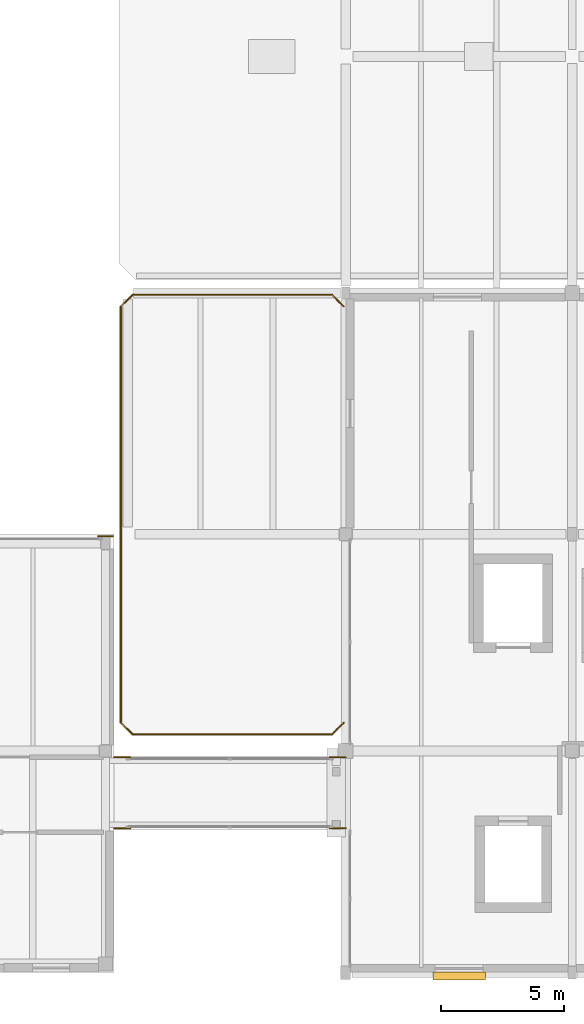
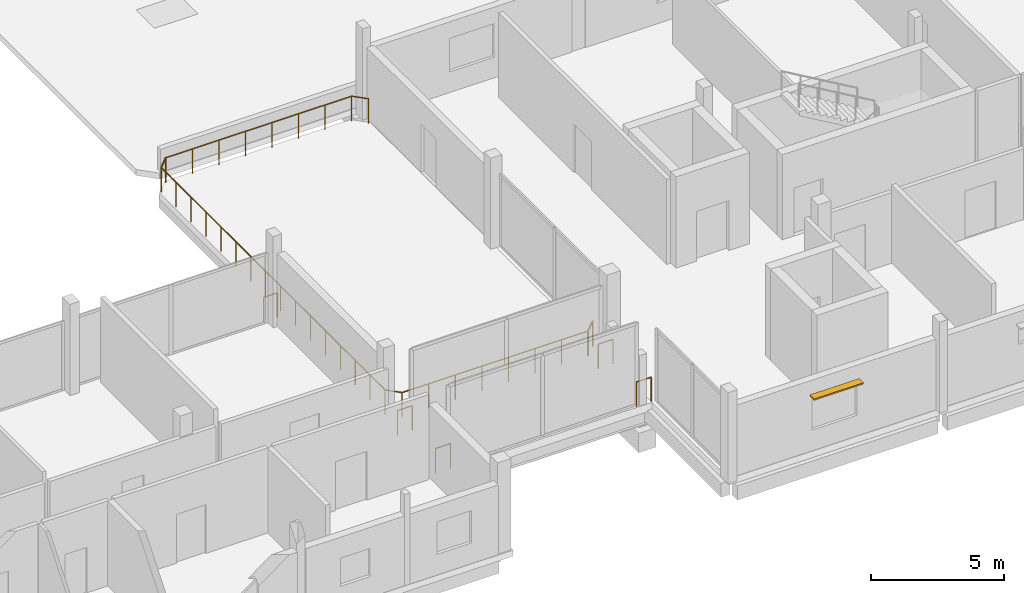
# One storey, part 36 of 41: 12 railings, 1 shading device.
"""IFC4 building model written with IfcOpenShell, lengths in metres."""

from ifc_helpers import new_model, si_unit, direction, frame, origin, origin_2d, place, context, subcontext, project, spatial, rectangle, circle, extrude, material, type_object, element, save


model = new_model("IFC4")

# Units and contexts
model_context = context("Model", 3, precision=1e-05, world=origin(), true_north=direction((0.0, 1.0)))
body_context = subcontext(model_context, "Body", "Model", "MODEL_VIEW")
ifc_project = project(units=[si_unit("LENGTHUNIT", "METRE"), si_unit("AREAUNIT", "SQUARE_METRE"), si_unit("VOLUMEUNIT", "CUBIC_METRE"), si_unit("PLANEANGLEUNIT", "RADIAN"), si_unit("MASSUNIT", "GRAM", prefix="KILO")], contexts=[model_context])

# Site, building, storey
site_placement = place(None, origin())
site = spatial("IfcSite", under=ifc_project, at=site_placement, CompositionType="ELEMENT")
building_placement = place(site_placement, origin())
building = spatial("IfcBuilding", under=site, at=building_placement, Name="Birchvale Park Specialist Clinic", CompositionType="ELEMENT")
storey_placement = place(building_placement, frame((0.0, 0.0, 9.60009765625)))
storey = spatial("IfcBuildingStorey", under=building, at=storey_placement, Name="L02", CompositionType="ELEMENT", Elevation=9.60009765625)

# Railings
ifc_material_1 = material(Name="Brushed stainless steel and laminated glass balustrade", Category="steel")
railing_type = type_object("IfcRailingType", Name="RL-BAL2", PredefinedType="BALUSTRADE", material=ifc_material_1)
for number, where, name in (
    (1, (118.60009765625, 22.659912109375, 0.0), "L02 bridge end guard BRG-3.7"),
    (2, (127.35009765625, 22.659912109375, 0.0), "L02 bridge end guard BRG-3.8"),
    (3, (118.60009765625, 25.5400390625, 0.0), "L02 bridge end guard BRG-3.9"),
    (4, (127.35009765625, 25.5400390625, 0.0), "L02 bridge end guard BRG-3.10"),
):
    element("IfcRailing", number, at=place(storey_placement, frame(where)), inside=storey, type_object=railing_type, Name=name, PredefinedType="BALUSTRADE", context=body_context, shape_type="SweptSolid", body=[
        extrude(circle(Radius=0.02392578125, at=origin_2d()), frame((0.0, 0.0, 1.1259765625), z_axis=(1.0, 0.0, 0.0), x_axis=(0.0, 1.0, 0.0)), (0.0, 0.0, 1.0), 0.64990234375),
        extrude(circle(Radius=0.02099609375, at=origin_2d()), origin(), (0.0, 0.0, 1.0), 1.101806640625),
        extrude(circle(Radius=0.02099609375, at=origin_2d()), frame((0.64990234375, 0.0, 0.0)), (0.0, 0.0, 1.0), 1.101806640625),
    ])
railing_1_placement = place(storey_placement, frame((119.35009765625, 26.47998046875, 0.0)))
element("IfcRailing", 5, at=railing_1_placement, inside=storey, type_object=railing_type, Name="V5 L02 roof terrace guard balustrade 38", PredefinedType="BALUSTRADE", context=body_context, shape_type="SweptSolid", body=[
    extrude(circle(Radius=0.02392578125, at=origin_2d()), frame((0.0, 0.0, 1.1259765625), z_axis=(1.0, 0.0, 0.0), x_axis=(0.0, 1.0, 0.0)), (0.0, 0.0, 1.0), 8.099853515625),
    extrude(circle(Radius=0.02099609375, at=origin_2d()), origin(), (0.0, 0.0, 1.0), 1.101806640625),
    extrude(circle(Radius=0.02099609375, at=origin_2d()), frame((1.1572265625, 0.0, 0.0)), (0.0, 0.0, 1.0), 1.101806640625),
    extrude(circle(Radius=0.02099609375, at=origin_2d()), frame((2.314208984375, 0.0, 0.0)), (0.0, 0.0, 1.0), 1.101806640625),
    extrude(circle(Radius=0.02099609375, at=origin_2d()), frame((3.471435546875, 0.0, 0.0)), (0.0, 0.0, 1.0), 1.101806640625),
    extrude(circle(Radius=0.02099609375, at=origin_2d()), frame((4.62841796875, 0.0, 0.0)), (0.0, 0.0, 1.0), 1.101806640625),
    extrude(circle(Radius=0.02099609375, at=origin_2d()), frame((5.78564453125, 0.0, 0.0)), (0.0, 0.0, 1.0), 1.101806640625),
    extrude(circle(Radius=0.02099609375, at=origin_2d()), frame((6.942626953125, 0.0, 0.0)), (0.0, 0.0, 1.0), 1.101806640625),
    extrude(circle(Radius=0.02099609375, at=origin_2d()), frame((8.099853515625, 0.0, 0.0)), (0.0, 0.0, 1.0), 1.101806640625),
])
railing_2_placement = place(storey_placement, frame((127.449951171875, 26.47998046875, 0.0)))
element("IfcRailing", 6, at=railing_2_placement, inside=storey, type_object=railing_type, Name="V5 L02 roof terrace guard balustrade 39", PredefinedType="BALUSTRADE", context=body_context, shape_type="SweptSolid", body=[
    extrude(circle(Radius=0.02392578125, at=origin_2d()), frame((0.0, 0.0, 1.1259765625), z_axis=(0.707106781187, 0.707106781187, 0.0), x_axis=(-0.707106781187, 0.707106781187, 0.0)), (0.0, 0.0, 1.0), 0.66455078125),
    extrude(circle(Radius=0.02099609375, at=origin_2d()), origin(), (0.0, 0.0, 1.0), 1.101806640625),
    extrude(circle(Radius=0.02099609375, at=origin_2d()), frame((0.469970703125, 0.469970703125, 0.0)), (0.0, 0.0, 1.0), 1.101806640625),
])
railing_3_placement = place(storey_placement, frame((127.919921875, 43.85009765625, 0.0)))
element("IfcRailing", 7, at=railing_3_placement, inside=storey, type_object=railing_type, Name="V5 L02 roof terrace guard balustrade 40", PredefinedType="BALUSTRADE", context=body_context, shape_type="SweptSolid", body=[
    extrude(circle(Radius=0.02392578125, at=origin_2d()), frame((0.0, 0.0, 1.1259765625), z_axis=(-0.707106781187, 0.707106781187, 0.0), x_axis=(-0.707106781187, -0.707106781187, 0.0)), (0.0, 0.0, 1.0), 0.66455078125),
    extrude(circle(Radius=0.02099609375, at=origin_2d()), origin(), (0.0, 0.0, 1.0), 1.101806640625),
    extrude(circle(Radius=0.02099609375, at=origin_2d()), frame((-0.469970703125, 0.469970703125, 0.0)), (0.0, 0.0, 1.0), 1.101806640625),
])
railing_4_placement = place(storey_placement, frame((127.449951171875, 44.320068359375, 0.0)))
element("IfcRailing", 8, at=railing_4_placement, inside=storey, type_object=railing_type, Name="V5 L02 roof terrace guard balustrade 41", PredefinedType="BALUSTRADE", context=body_context, shape_type="SweptSolid", body=[
    extrude(circle(Radius=0.02392578125, at=origin_2d()), frame((0.0, 0.0, 1.1259765625), z_axis=(-1.0, 0.0, 0.0), x_axis=(0.0, -1.0, 0.0)), (0.0, 0.0, 1.0), 8.099853515625),
    extrude(circle(Radius=0.02099609375, at=origin_2d()), origin(), (0.0, 0.0, 1.0), 1.101806640625),
    extrude(circle(Radius=0.02099609375, at=origin_2d()), frame((-1.1572265625, 0.0, 0.0)), (0.0, 0.0, 1.0), 1.101806640625),
    extrude(circle(Radius=0.02099609375, at=origin_2d()), frame((-2.314208984375, 0.0, 0.0)), (0.0, 0.0, 1.0), 1.101806640625),
    extrude(circle(Radius=0.02099609375, at=origin_2d()), frame((-3.471435546875, 0.0, 0.0)), (0.0, 0.0, 1.0), 1.101806640625),
    extrude(circle(Radius=0.02099609375, at=origin_2d()), frame((-4.62841796875, 0.0, 0.0)), (0.0, 0.0, 1.0), 1.101806640625),
    extrude(circle(Radius=0.02099609375, at=origin_2d()), frame((-5.78564453125, 0.0, 0.0)), (0.0, 0.0, 1.0), 1.101806640625),
    extrude(circle(Radius=0.02099609375, at=origin_2d()), frame((-6.942626953125, 0.0, 0.0)), (0.0, 0.0, 1.0), 1.101806640625),
    extrude(circle(Radius=0.02099609375, at=origin_2d()), frame((-8.099853515625, 0.0, 0.0)), (0.0, 0.0, 1.0), 1.101806640625),
])
railing_5_placement = place(storey_placement, frame((119.35009765625, 44.320068359375, 0.0)))
element("IfcRailing", 9, at=railing_5_placement, inside=storey, type_object=railing_type, Name="V5 L02 roof terrace guard balustrade 42", PredefinedType="BALUSTRADE", context=body_context, shape_type="SweptSolid", body=[
    extrude(circle(Radius=0.02392578125, at=origin_2d()), frame((0.0, 0.0, 1.1259765625), z_axis=(-0.707290373747, -0.706923140946, 0.0), x_axis=(0.706923140946, -0.707290373747, 0.0)), (0.0, 0.0, 1.0), 0.664794921875),
    extrude(circle(Radius=0.02099609375, at=origin_2d()), origin(), (0.0, 0.0, 1.0), 1.101806640625),
    extrude(circle(Radius=0.02099609375, at=origin_2d()), frame((-0.47021484375, -0.469970703125, 0.0)), (0.0, 0.0, 1.0), 1.101806640625),
])
railing_6_placement = place(storey_placement, frame((118.8798828125, 43.85009765625, 0.0)))
element("IfcRailing", 10, at=railing_6_placement, inside=storey, type_object=railing_type, Name="V5 L02 roof terrace guard balustrade 43", PredefinedType="BALUSTRADE", context=body_context, shape_type="SweptSolid", body=[
    extrude(circle(Radius=0.02392578125, at=origin_2d()), frame((0.0, 0.0, 1.1259765625), z_axis=(0.0, -1.0, 0.0), x_axis=(1.0, 0.0, 0.0)), (0.0, 0.0, 1.0), 16.900146484375),
    extrude(circle(Radius=0.02099609375, at=origin_2d()), origin(), (0.0, 0.0, 1.0), 1.101806640625),
    extrude(circle(Radius=0.02099609375, at=origin_2d()), frame((0.0, -1.126708984375, 0.0)), (0.0, 0.0, 1.0), 1.101806640625),
    extrude(circle(Radius=0.02099609375, at=origin_2d()), frame((0.0, -2.25341796875, 0.0)), (0.0, 0.0, 1.0), 1.101806640625),
    extrude(circle(Radius=0.02099609375, at=origin_2d()), frame((0.0, -3.380126953125, 0.0)), (0.0, 0.0, 1.0), 1.101806640625),
    extrude(circle(Radius=0.02099609375, at=origin_2d()), frame((0.0, -4.506591796875, 0.0)), (0.0, 0.0, 1.0), 1.101806640625),
    extrude(circle(Radius=0.02099609375, at=origin_2d()), frame((0.0, -5.63330078125, 0.0)), (0.0, 0.0, 1.0), 1.101806640625),
    extrude(circle(Radius=0.02099609375, at=origin_2d()), frame((0.0, -6.760009765625, 0.0)), (0.0, 0.0, 1.0), 1.101806640625),
    extrude(circle(Radius=0.02099609375, at=origin_2d()), frame((0.0, -7.88671875, 0.0)), (0.0, 0.0, 1.0), 1.101806640625),
    extrude(circle(Radius=0.02099609375, at=origin_2d()), frame((0.0, -9.013427734375, 0.0)), (0.0, 0.0, 1.0), 1.101806640625),
    extrude(circle(Radius=0.02099609375, at=origin_2d()), frame((0.0, -10.14013671875, 0.0)), (0.0, 0.0, 1.0), 1.101806640625),
    extrude(circle(Radius=0.02099609375, at=origin_2d()), frame((0.0, -11.266845703125, 0.0)), (0.0, 0.0, 1.0), 1.101806640625),
    extrude(circle(Radius=0.02099609375, at=origin_2d()), frame((0.0, -12.3935546875, 0.0)), (0.0, 0.0, 1.0), 1.101806640625),
    extrude(circle(Radius=0.02099609375, at=origin_2d()), frame((0.0, -13.52001953125, 0.0)), (0.0, 0.0, 1.0), 1.101806640625),
    extrude(circle(Radius=0.02099609375, at=origin_2d()), frame((0.0, -14.646728515625, 0.0)), (0.0, 0.0, 1.0), 1.101806640625),
    extrude(circle(Radius=0.02099609375, at=origin_2d()), frame((0.0, -15.7734375, 0.0)), (0.0, 0.0, 1.0), 1.101806640625),
    extrude(circle(Radius=0.02099609375, at=origin_2d()), frame((0.0, -16.900146484375, 0.0)), (0.0, 0.0, 1.0), 1.101806640625),
])
railing_7_placement = place(storey_placement, frame((118.8798828125, 26.949951171875, 0.0)))
element("IfcRailing", 11, at=railing_7_placement, inside=storey, type_object=railing_type, Name="V5 L02 roof terrace guard balustrade 44", PredefinedType="BALUSTRADE", context=body_context, shape_type="SweptSolid", body=[
    extrude(circle(Radius=0.02392578125, at=origin_2d()), frame((0.0, 0.0, 1.1259765625), z_axis=(0.707290373747, -0.706923140946, 0.0), x_axis=(0.706923140946, 0.707290373747, 0.0)), (0.0, 0.0, 1.0), 0.664794921875),
    extrude(circle(Radius=0.02099609375, at=origin_2d()), origin(), (0.0, 0.0, 1.0), 1.101806640625),
    extrude(circle(Radius=0.02099609375, at=origin_2d()), frame((0.47021484375, -0.469970703125, 0.0)), (0.0, 0.0, 1.0), 1.101806640625),
])
railing_8_placement = place(storey_placement, frame((117.949951171875, 34.52001953125, 0.0)))
element("IfcRailing", 12, at=railing_8_placement, inside=storey, type_object=railing_type, Name="V4 L02 corner edge guard NE", PredefinedType="BALUSTRADE", context=body_context, shape_type="SweptSolid", body=[
    extrude(circle(Radius=0.02392578125, at=origin_2d()), frame((0.0, 0.0, 1.1259765625), z_axis=(1.0, 0.0, 0.0), x_axis=(0.0, 1.0, 0.0)), (0.0, 0.0, 1.0), 0.60009765625),
    extrude(circle(Radius=0.02099609375, at=origin_2d()), origin(), (0.0, 0.0, 1.0), 1.101806640625),
    extrude(circle(Radius=0.02099609375, at=origin_2d()), frame((0.60009765625, 0.0, 0.0)), (0.0, 0.0, 1.0), 1.101806640625),
])

# Shading device
ifc_material_2 = material(Name="Nordic larch solar louvre")
shading_device_type = type_object("IfcShadingDeviceType", Name="SHD-LVR1", PredefinedType="JALOUSIE", material=ifc_material_2)
shading_device_placement = place(storey_placement, frame((132.612548828125, 16.659912109375, 2.54736328125), z_axis=(0.0, 0.0, 1.0), x_axis=(1.0, 0.0, 0.0)))
element("IfcShadingDevice", 13, at=shading_device_placement, inside=storey, type_object=shading_device_type, Name="V5 L02 timber sun louvre 34", PredefinedType="JALOUSIE", context=body_context, shape_type="SweptSolid", body=[
    extrude(rectangle(XDim=2.14990234375, YDim=0.320068359375, at=origin_2d()), origin(), (0.0, 0.0, 1.0), 0.06494140625),
])

save(model, "model.ifc")
